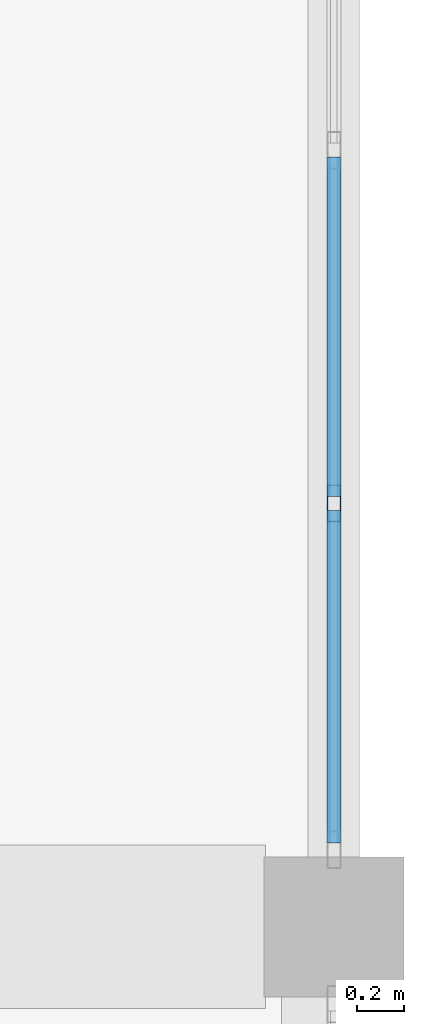
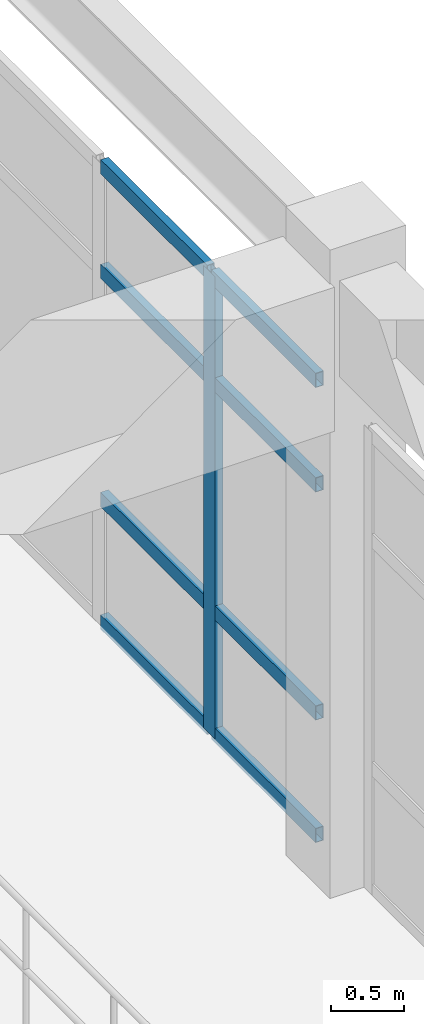
# One storey, part 15 of 38: 9 members, 1 element without a shape of its own.
"""IFC4 building model written with IfcOpenShell, lengths in metres."""

from ifc_helpers import new_model, si_unit, direction, frame, origin, origin_2d, place, context, subcontext, project, spatial, hollow_rectangle, extrude, material, layer, layer_set, material_profile, profile_set, type_object, element, aggregate, save


model = new_model("IFC4")

# Units and contexts
model_context = context("Model", 3, precision=1e-05, world=origin(), true_north=direction((0.0, 1.0)))
body_context = subcontext(model_context, "Body", "Model", "MODEL_VIEW")
ifc_project = project(units=[si_unit("LENGTHUNIT", "METRE"), si_unit("AREAUNIT", "SQUARE_METRE"), si_unit("VOLUMEUNIT", "CUBIC_METRE"), si_unit("PLANEANGLEUNIT", "RADIAN"), si_unit("MASSUNIT", "GRAM", prefix="KILO")], contexts=[model_context])

# Site, building, storey
site_placement = place(None, origin())
site = spatial("IfcSite", under=ifc_project, at=site_placement, CompositionType="ELEMENT")
building_placement = place(site_placement, origin())
building = spatial("IfcBuilding", under=site, at=building_placement, Name="Muzn Square Opera House", CompositionType="ELEMENT")
storey_placement = place(building_placement, frame((0.0, 0.0, 18.0)))
storey = spatial("IfcBuildingStorey", under=building, at=storey_placement, Name="L04", CompositionType="ELEMENT", Elevation=18.0)

# Curtain wall, members
ifc_material_1 = material(Name="Low-E laminated acoustic double glazing", Category="glass")
ifc_layer = layer(ifc_material_1, 0.159912109375, Name="Low-E laminated acoustic double glazing", Category="glass")
ifc_layer_set = layer_set([ifc_layer], Name="Low-E laminated acoustic double glazing")
curtain_wall_type = type_object("IfcCurtainWallType", Name="Glazed Curtain Wall RehearsalEast 12100x3850", PredefinedType="USERDEFINED", material=ifc_layer_set)
curtain_wall_placement = place(storey_placement, origin())
curtain_wall = element("IfcCurtainWall", 1, at=curtain_wall_placement, inside=storey, type_object=curtain_wall_type, Name="Glazed Curtain Wall CW-L04-133", ObjectType="GLAZED CURTAIN WALL", PredefinedType="USERDEFINED")
ifc_material_2 = material(Name="Anodised bronze aluminium 6063-T6", Category="metal")
ifc_material_profile_1 = material_profile(ifc_material_2, hollow_rectangle(XDim=0.06005859375, YDim=0.159912109375, WallThickness=0.00390625, at=origin_2d()), Name="ALU 160x60x4", Category="metal")
ifc_profile_set_1 = profile_set([ifc_material_profile_1], Name="Anodised bronze aluminium 6063-T6")
member_type_1 = type_object("IfcMemberType", Name="Curtain Wall Mullion 160x60", PredefinedType="MULLION", material=ifc_profile_set_1)
member_1_placement = place(storey_placement, frame((170.0, 100.41259765625, 0.0), z_axis=(0.0, 0.0, 1.0), x_axis=(-1.0, 0.0, 0.0)))
member_1 = element("IfcMember", 2, at=member_1_placement, type_object=member_type_1, Name="CW-RHE-121x38 mullion 2", PredefinedType="MULLION", context=body_context, shape_type="SweptSolid", body=[
    extrude(hollow_rectangle(XDim=0.06005859375, YDim=0.159912109375, WallThickness=0.00390625, at=origin_2d()), origin(), (0.0, 0.0, 1.0), 3.85009765625),
])
ifc_material_profile_2 = material_profile(ifc_material_2, hollow_rectangle(XDim=0.06005859375, YDim=0.1201171875, WallThickness=0.00390625, at=origin_2d()), Name="ALU 120x60x4", Category="metal")
ifc_profile_set_2 = profile_set([ifc_material_profile_2], Name="Anodised bronze aluminium 6063-T6")
member_type_2 = type_object("IfcMemberType", Name="Curtain Wall Transom 120x60", PredefinedType="USERDEFINED", material=ifc_profile_set_2)
member_2_placement = place(storey_placement, frame((170.0, 98.9599609375, 0.030029296875), z_axis=(0.0, 1.0, 0.0), x_axis=(-1.0, 0.0, 0.0)))
member_2 = element("IfcMember", 3, at=member_2_placement, type_object=member_type_2, Name="CW-RHE-121x38 transom 1.1", ObjectType="TRANSOM", PredefinedType="USERDEFINED", context=body_context, shape_type="SweptSolid", body=[
    extrude(hollow_rectangle(XDim=0.06005859375, YDim=0.1201171875, WallThickness=0.00390625, at=origin_2d()), origin(), (0.0, 0.0, 1.0), 1.422607421875),
])
member_3_placement = place(storey_placement, frame((170.0, 98.9599609375, 1.050048828125), z_axis=(0.0, 1.0, 0.0), x_axis=(-1.0, 0.0, 0.0)))
member_3 = element("IfcMember", 4, at=member_3_placement, type_object=member_type_2, Name="CW-RHE-121x38 transom 1.2", ObjectType="TRANSOM", PredefinedType="USERDEFINED", context=body_context, shape_type="SweptSolid", body=[
    extrude(hollow_rectangle(XDim=0.06005859375, YDim=0.1201171875, WallThickness=0.00390625, at=origin_2d()), origin(), (0.0, 0.0, 1.0), 1.422607421875),
])
member_4_placement = place(storey_placement, frame((170.0, 98.9599609375, 2.949951171875), z_axis=(0.0, 1.0, 0.0), x_axis=(-1.0, 0.0, 0.0)))
member_4 = element("IfcMember", 5, at=member_4_placement, type_object=member_type_2, Name="CW-RHE-121x38 transom 1.3", ObjectType="TRANSOM", PredefinedType="USERDEFINED", context=body_context, shape_type="SweptSolid", body=[
    extrude(hollow_rectangle(XDim=0.06005859375, YDim=0.1201171875, WallThickness=0.00390625, at=origin_2d()), origin(), (0.0, 0.0, 1.0), 1.422607421875),
])
member_5_placement = place(storey_placement, frame((170.0, 98.9599609375, 3.820068359375), z_axis=(0.0, 1.0, 0.0), x_axis=(-1.0, 0.0, 0.0)))
member_5 = element("IfcMember", 6, at=member_5_placement, type_object=member_type_2, Name="CW-RHE-121x38 transom 1.4", ObjectType="TRANSOM", PredefinedType="USERDEFINED", context=body_context, shape_type="SweptSolid", body=[
    extrude(hollow_rectangle(XDim=0.06005859375, YDim=0.1201171875, WallThickness=0.00390625, at=origin_2d()), origin(), (0.0, 0.0, 1.0), 1.422607421875),
])
member_6_placement = place(storey_placement, frame((170.0, 100.4423828125, 0.030029296875), z_axis=(0.0, 1.0, 0.0), x_axis=(-1.0, 0.0, 0.0)))
member_6 = element("IfcMember", 7, at=member_6_placement, type_object=member_type_2, Name="CW-RHE-121x38 transom 2.1", ObjectType="TRANSOM", PredefinedType="USERDEFINED", context=body_context, shape_type="SweptSolid", body=[
    extrude(hollow_rectangle(XDim=0.06005859375, YDim=0.1201171875, WallThickness=0.00390625, at=origin_2d()), origin(), (0.0, 0.0, 1.0), 1.45263671875),
])
member_7_placement = place(storey_placement, frame((170.0, 100.4423828125, 1.050048828125), z_axis=(0.0, 1.0, 0.0), x_axis=(-1.0, 0.0, 0.0)))
member_7 = element("IfcMember", 8, at=member_7_placement, type_object=member_type_2, Name="CW-RHE-121x38 transom 2.2", ObjectType="TRANSOM", PredefinedType="USERDEFINED", context=body_context, shape_type="SweptSolid", body=[
    extrude(hollow_rectangle(XDim=0.06005859375, YDim=0.1201171875, WallThickness=0.00390625, at=origin_2d()), origin(), (0.0, 0.0, 1.0), 1.45263671875),
])
member_8_placement = place(storey_placement, frame((170.0, 100.4423828125, 2.949951171875), z_axis=(0.0, 1.0, 0.0), x_axis=(-1.0, 0.0, 0.0)))
member_8 = element("IfcMember", 9, at=member_8_placement, type_object=member_type_2, Name="CW-RHE-121x38 transom 2.3", ObjectType="TRANSOM", PredefinedType="USERDEFINED", context=body_context, shape_type="SweptSolid", body=[
    extrude(hollow_rectangle(XDim=0.06005859375, YDim=0.1201171875, WallThickness=0.00390625, at=origin_2d()), origin(), (0.0, 0.0, 1.0), 1.45263671875),
])
member_9_placement = place(storey_placement, frame((170.0, 100.4423828125, 3.820068359375), z_axis=(0.0, 1.0, 0.0), x_axis=(-1.0, 0.0, 0.0)))
member_9 = element("IfcMember", 10, at=member_9_placement, type_object=member_type_2, Name="CW-RHE-121x38 transom 2.4", ObjectType="TRANSOM", PredefinedType="USERDEFINED", context=body_context, shape_type="SweptSolid", body=[
    extrude(hollow_rectangle(XDim=0.06005859375, YDim=0.1201171875, WallThickness=0.00390625, at=origin_2d()), origin(), (0.0, 0.0, 1.0), 1.45263671875),
])
aggregate(curtain_wall, [member_1, member_2, member_3, member_4, member_5, member_6, member_7, member_8, member_9])

save(model, "model.ifc")
